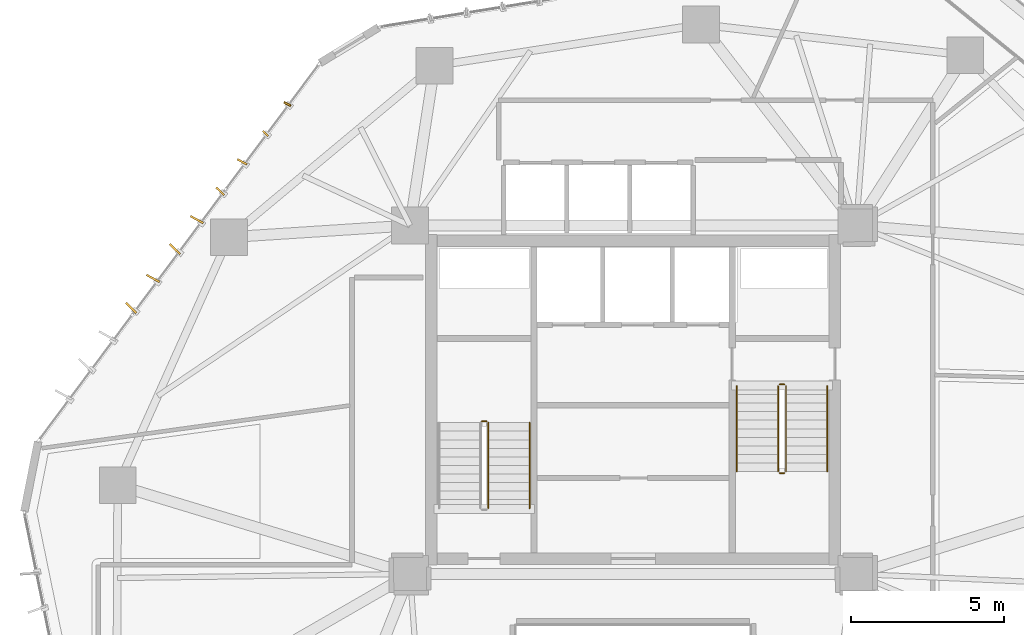
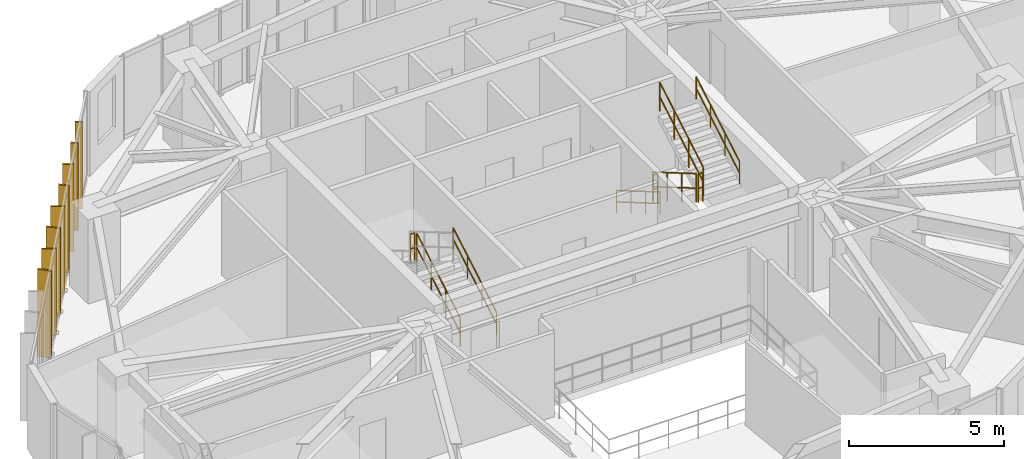
# One storey, part 22 of 23: 9 railings, 8 shading devices.
"""IFC4 building model written with IfcOpenShell, lengths in metres."""

from ifc_helpers import new_model, si_unit, direction, frame, origin, origin_2d, place, context, subcontext, project, spatial, rectangle, circle, extrude, source, transform, mapped, material, layer, layer_set, type_object, type_shapes, element, save


model = new_model("IFC4")

# Units and contexts
model_context = context("Model", 3, precision=1e-05, world=origin(), true_north=direction((0.0, 1.0)))
body_context = subcontext(model_context, "Body", "Model", "MODEL_VIEW")
ifc_project = project(units=[si_unit("LENGTHUNIT", "METRE"), si_unit("AREAUNIT", "SQUARE_METRE"), si_unit("VOLUMEUNIT", "CUBIC_METRE"), si_unit("PLANEANGLEUNIT", "RADIAN"), si_unit("MASSUNIT", "GRAM", prefix="KILO")], contexts=[model_context])

# Site, building, storey
site_placement = place(None, origin())
site = spatial("IfcSite", under=ifc_project, at=site_placement, CompositionType="ELEMENT")
building_placement = place(site_placement, origin())
building = spatial("IfcBuilding", under=site, at=building_placement, Name="Talar Marvaseh", CompositionType="ELEMENT")
storey_placement = place(building_placement, frame((0.0, 0.0, 118.199951171875)))
storey = spatial("IfcBuildingStorey", under=building, at=storey_placement, Name="L30", CompositionType="ELEMENT", Elevation=118.199951171875)

# Railings
ifc_material_1 = material(Name="Stainless Steel Grade 316", Category="steel")
railing_type_1 = type_object("IfcRailingType", Name="Brushed Stainless Wall Pitch Handrail 900", PredefinedType="HANDRAIL", material=ifc_material_1)
railing_1_placement = place(storey_placement, frame((22.610107421875, 27.64990234375, 0.16357421875)))
element("IfcRailing", 1, at=railing_1_placement, inside=storey, type_object=railing_type_1, Name="L30 ST-1 stair handrail 1", PredefinedType="HANDRAIL", context=body_context, shape_type="SweptSolid", body=[
    extrude(circle(Radius=0.02392578125, at=origin_2d()), frame((0.0, 0.0, 0.8759765625), z_axis=(0.0, 0.863360870873, 0.504586966384), x_axis=(-1.0, 0.0, 0.0)), (0.0, 0.0, 1.0), 3.2431640625),
    extrude(circle(Radius=0.02392578125, at=origin_2d()), frame((0.0, 0.0, 0.42578125), z_axis=(0.0, 0.863360870873, 0.504586966384), x_axis=(-1.0, 0.0, 0.0)), (0.0, 0.0, 1.0), 3.2431640625),
    extrude(circle(Radius=0.02099609375, at=origin_2d()), origin(), (0.0, 0.0, 1.0), 0.851806640625),
    extrude(circle(Radius=0.02099609375, at=origin_2d()), frame((0.0, 0.933349609375, 0.54541015625)), (0.0, 0.0, 1.0), 0.851806640625),
    extrude(circle(Radius=0.02099609375, at=origin_2d()), frame((0.0, 1.86669921875, 1.091064453125)), (0.0, 0.0, 1.0), 0.851806640625),
    extrude(circle(Radius=0.02099609375, at=origin_2d()), frame((0.0, 2.800048828125, 1.636474609375)), (0.0, 0.0, 1.0), 0.851806640625),
])
railing_2_placement = place(storey_placement, frame((29.389892578125, 31.64990234375, 0.16357421875)))
element("IfcRailing", 2, at=railing_2_placement, inside=storey, type_object=railing_type_1, Name="L30 ST-2 stair handrail 1", PredefinedType="HANDRAIL", context=body_context, shape_type="SweptSolid", body=[
    extrude(circle(Radius=0.02392578125, at=origin_2d()), frame((0.0, 0.0, 0.8759765625), z_axis=(0.0, -0.863341702679, 0.504619762213), x_axis=(1.0, 0.0, 0.0)), (0.0, 0.0, 1.0), 3.242919921875),
    extrude(circle(Radius=0.02392578125, at=origin_2d()), frame((0.0, 0.0, 0.42578125), z_axis=(0.0, -0.863341702679, 0.504619762213), x_axis=(1.0, 0.0, 0.0)), (0.0, 0.0, 1.0), 3.242919921875),
    extrude(circle(Radius=0.02099609375, at=origin_2d()), origin(), (0.0, 0.0, 1.0), 0.851806640625),
    extrude(circle(Radius=0.02099609375, at=origin_2d()), frame((0.0, -0.933349609375, 0.54541015625)), (0.0, 0.0, 1.0), 0.851806640625),
    extrude(circle(Radius=0.02099609375, at=origin_2d()), frame((0.0, -1.866455078125, 1.091064453125)), (0.0, 0.0, 1.0), 0.851806640625),
    extrude(circle(Radius=0.02099609375, at=origin_2d()), frame((0.0, -2.7998046875, 1.636474609375)), (0.0, 0.0, 1.0), 0.851806640625),
])
railing_3_placement = place(storey_placement, frame((32.35009765625, 28.85009765625, 1.963623046875)))
element("IfcRailing", 3, at=railing_3_placement, inside=storey, type_object=railing_type_1, Name="L30 ST-2 stair handrail 2", PredefinedType="HANDRAIL", context=body_context, shape_type="SweptSolid", body=[
    extrude(circle(Radius=0.02392578125, at=origin_2d()), frame((0.0, 0.0, 0.8759765625), z_axis=(0.0, 0.863341702679, 0.504619762213), x_axis=(-1.0, 0.0, 0.0)), (0.0, 0.0, 1.0), 3.242919921875),
    extrude(circle(Radius=0.02392578125, at=origin_2d()), frame((0.0, 0.0, 0.42578125), z_axis=(0.0, 0.863341702679, 0.504619762213), x_axis=(-1.0, 0.0, 0.0)), (0.0, 0.0, 1.0), 3.242919921875),
    extrude(circle(Radius=0.02099609375, at=origin_2d()), origin(), (0.0, 0.0, 1.0), 0.851806640625),
    extrude(circle(Radius=0.02099609375, at=origin_2d()), frame((0.0, 0.933349609375, 0.54541015625)), (0.0, 0.0, 1.0), 0.851806640625),
    extrude(circle(Radius=0.02099609375, at=origin_2d()), frame((0.0, 1.866455078125, 1.091064453125)), (0.0, 0.0, 1.0), 0.851806640625),
    extrude(circle(Radius=0.02099609375, at=origin_2d()), frame((0.0, 2.7998046875, 1.636474609375)), (0.0, 0.0, 1.0), 0.851806640625),
])
railing_type_2 = type_object("IfcRailingType", Name="Painted Steel Core Stair Well Guardrail 1150", PredefinedType="GUARDRAIL", material=ifc_material_1)
railing_4_placement = place(storey_placement, frame((21.260009765625, 27.64990234375, 0.16357421875)))
element("IfcRailing", 4, at=railing_4_placement, inside=storey, type_object=railing_type_2, Name="L30 ST-1 stair guard 1", PredefinedType="GUARDRAIL", context=body_context, shape_type="SweptSolid", body=[
    extrude(circle(Radius=0.02392578125, at=origin_2d()), frame((0.0, 0.0, 1.1259765625), z_axis=(0.0, 0.863360870873, 0.504586966384), x_axis=(-1.0, 0.0, 0.0)), (0.0, 0.0, 1.0), 3.2431640625),
    extrude(circle(Radius=0.02392578125, at=origin_2d()), frame((0.0, 0.0, 0.55078125), z_axis=(0.0, 0.863360870873, 0.504586966384), x_axis=(-1.0, 0.0, 0.0)), (0.0, 0.0, 1.0), 3.2431640625),
    extrude(circle(Radius=0.02099609375, at=origin_2d()), origin(), (0.0, 0.0, 1.0), 1.101806640625),
    extrude(circle(Radius=0.02099609375, at=origin_2d()), frame((0.0, 0.933349609375, 0.54541015625)), (0.0, 0.0, 1.0), 1.101806640625),
    extrude(circle(Radius=0.02099609375, at=origin_2d()), frame((0.0, 1.86669921875, 1.091064453125)), (0.0, 0.0, 1.0), 1.101806640625),
    extrude(circle(Radius=0.02099609375, at=origin_2d()), frame((0.0, 2.800048828125, 1.636474609375)), (0.0, 0.0, 1.0), 1.101806640625),
])
railing_5_placement = place(storey_placement, frame((21.2099609375, 30.5, 1.800048828125)))
element("IfcRailing", 5, at=railing_5_placement, inside=storey, type_object=railing_type_2, Name="L30 ST-1 stair guard 2", PredefinedType="GUARDRAIL", context=body_context, shape_type="SweptSolid", body=[
    extrude(circle(Radius=0.02392578125, at=origin_2d()), frame((0.0, 0.0, 1.1259765625), z_axis=(-1.0, 0.0, 0.0), x_axis=(0.0, -1.0, 0.0)), (0.0, 0.0, 1.0), 0.159912109375),
    extrude(circle(Radius=0.02392578125, at=origin_2d()), frame((0.0, 0.0, 0.55078125), z_axis=(-1.0, 0.0, 0.0), x_axis=(0.0, -1.0, 0.0)), (0.0, 0.0, 1.0), 0.159912109375),
    extrude(circle(Radius=0.02099609375, at=origin_2d()), origin(), (0.0, 0.0, 1.0), 1.101806640625),
    extrude(circle(Radius=0.02099609375, at=origin_2d()), frame((-0.159912109375, 0.0, 0.0)), (0.0, 0.0, 1.0), 1.101806640625),
])
railing_6_placement = place(storey_placement, frame((30.739990234375, 31.64990234375, 0.16357421875)))
element("IfcRailing", 6, at=railing_6_placement, inside=storey, type_object=railing_type_2, Name="L30 ST-2 stair guard 1", PredefinedType="GUARDRAIL", context=body_context, shape_type="SweptSolid", body=[
    extrude(circle(Radius=0.02392578125, at=origin_2d()), frame((0.0, 0.0, 1.1259765625), z_axis=(0.0, -0.863341702679, 0.504619762213), x_axis=(1.0, 0.0, 0.0)), (0.0, 0.0, 1.0), 3.242919921875),
    extrude(circle(Radius=0.02392578125, at=origin_2d()), frame((0.0, 0.0, 0.55078125), z_axis=(0.0, -0.863341702679, 0.504619762213), x_axis=(1.0, 0.0, 0.0)), (0.0, 0.0, 1.0), 3.242919921875),
    extrude(circle(Radius=0.02099609375, at=origin_2d()), origin(), (0.0, 0.0, 1.0), 1.101806640625),
    extrude(circle(Radius=0.02099609375, at=origin_2d()), frame((0.0, -0.933349609375, 0.54541015625)), (0.0, 0.0, 1.0), 1.101806640625),
    extrude(circle(Radius=0.02099609375, at=origin_2d()), frame((0.0, -1.866455078125, 1.091064453125)), (0.0, 0.0, 1.0), 1.101806640625),
    extrude(circle(Radius=0.02099609375, at=origin_2d()), frame((0.0, -2.7998046875, 1.636474609375)), (0.0, 0.0, 1.0), 1.101806640625),
])
railing_7_placement = place(storey_placement, frame((30.7900390625, 28.800048828125, 1.800048828125)))
element("IfcRailing", 7, at=railing_7_placement, inside=storey, type_object=railing_type_2, Name="L30 ST-2 stair guard 2", PredefinedType="GUARDRAIL", context=body_context, shape_type="SweptSolid", body=[
    extrude(circle(Radius=0.02392578125, at=origin_2d()), frame((0.0, 0.0, 1.1259765625), z_axis=(1.0, 0.0, 0.0), x_axis=(0.0, 1.0, 0.0)), (0.0, 0.0, 1.0), 0.159912109375),
    extrude(circle(Radius=0.02392578125, at=origin_2d()), frame((0.0, 0.0, 0.55078125), z_axis=(1.0, 0.0, 0.0), x_axis=(0.0, 1.0, 0.0)), (0.0, 0.0, 1.0), 0.159912109375),
    extrude(circle(Radius=0.02099609375, at=origin_2d()), origin(), (0.0, 0.0, 1.0), 1.101806640625),
    extrude(circle(Radius=0.02099609375, at=origin_2d()), frame((0.159912109375, 0.0, 0.0)), (0.0, 0.0, 1.0), 1.101806640625),
])
railing_8_placement = place(storey_placement, frame((31.0, 28.85009765625, 1.963623046875)))
element("IfcRailing", 8, at=railing_8_placement, inside=storey, type_object=railing_type_2, Name="L30 ST-2 stair guard 3", PredefinedType="GUARDRAIL", context=body_context, shape_type="SweptSolid", body=[
    extrude(circle(Radius=0.02392578125, at=origin_2d()), frame((0.0, 0.0, 1.1259765625), z_axis=(0.0, 0.863341702679, 0.504619762213), x_axis=(-1.0, 0.0, 0.0)), (0.0, 0.0, 1.0), 3.242919921875),
    extrude(circle(Radius=0.02392578125, at=origin_2d()), frame((0.0, 0.0, 0.55078125), z_axis=(0.0, 0.863341702679, 0.504619762213), x_axis=(-1.0, 0.0, 0.0)), (0.0, 0.0, 1.0), 3.242919921875),
    extrude(circle(Radius=0.02099609375, at=origin_2d()), origin(), (0.0, 0.0, 1.0), 1.101806640625),
    extrude(circle(Radius=0.02099609375, at=origin_2d()), frame((0.0, 0.933349609375, 0.54541015625)), (0.0, 0.0, 1.0), 1.101806640625),
    extrude(circle(Radius=0.02099609375, at=origin_2d()), frame((0.0, 1.866455078125, 1.091064453125)), (0.0, 0.0, 1.0), 1.101806640625),
    extrude(circle(Radius=0.02099609375, at=origin_2d()), frame((0.0, 2.7998046875, 1.636474609375)), (0.0, 0.0, 1.0), 1.101806640625),
])
railing_9_placement = place(storey_placement, frame((30.7900390625, 31.699951171875, 0.0)))
element("IfcRailing", 9, at=railing_9_placement, inside=storey, type_object=railing_type_2, Name="L30 ST-2 stair guard 4", PredefinedType="GUARDRAIL", context=body_context, shape_type="SweptSolid", body=[
    extrude(circle(Radius=0.02392578125, at=origin_2d()), frame((0.0, 0.0, 1.1259765625), z_axis=(1.0, 0.0, 0.0), x_axis=(0.0, 1.0, 0.0)), (0.0, 0.0, 1.0), 0.159912109375),
    extrude(circle(Radius=0.02392578125, at=origin_2d()), frame((0.0, 0.0, 0.55078125), z_axis=(1.0, 0.0, 0.0), x_axis=(0.0, 1.0, 0.0)), (0.0, 0.0, 1.0), 0.159912109375),
    extrude(circle(Radius=0.02099609375, at=origin_2d()), origin(), (0.0, 0.0, 1.0), 1.101806640625),
    extrude(circle(Radius=0.02099609375, at=origin_2d()), frame((0.159912109375, 0.0, 0.0)), (0.0, 0.0, 1.0), 1.101806640625),
])

# Shading devices
ifc_material_2 = material(Name="Anodised Champagne Bronze Aluminium", Category="aluminium")
ifc_layer_1 = layer(ifc_material_2, 0.06494140625)
ifc_layer_set_1 = layer_set([ifc_layer_1], Name="Anodised Champagne Bronze Aluminium")
shading_device_type_1 = type_object("IfcShadingDeviceType", Name="Sawtooth Champagne Bronze Vertical Fin 240", PredefinedType="USERDEFINED", material=ifc_layer_set_1)
shared_shape_1 = source(origin(), body_context, "Body", "SweptSolid", [
    extrude(rectangle(XDim=0.239990234375, YDim=0.06494140625, at=origin_2d()), origin(), (0.0, 0.0, 1.0), 3.429931640625),
])
type_shapes(shading_device_type_1, [shared_shape_1])
for number, where, z_axis, x_axis, name in (
    (10, (13.97314453125, 39.907958984375, -0.1201171875), (0.0, 0.0, 1.0), (-0.711044961634, 0.703146544139, 0.0), "L30 Sawtooth Vertical Solar Fin"),
    (11, (14.690185546875, 40.8701171875, -0.1201171875), (0.0, 0.0, 1.0), (-0.877313739887, 0.479917286421, 0.0), "L30 Sawtooth Vertical Solar Fin"),
):
    element("IfcShadingDevice", number, at=place(storey_placement, frame(where, z_axis=z_axis, x_axis=x_axis)), inside=storey, type_object=shading_device_type_1, Name=name, ObjectType="FIN", PredefinedType="USERDEFINED", context=body_context, shape_type="MappedRepresentation", body=[
        mapped(shared_shape_1, transform((0.0, 0.0, 0.0), x_axis=(1.0, 0.0, 0.0), y_axis=(0.0, 1.0, 0.0), z_axis=(0.0, 0.0, 1.0), scale=1.0)),
    ])
ifc_layer_2 = layer(ifc_material_2, 0.06494140625)
ifc_layer_set_2 = layer_set([ifc_layer_2], Name="Anodised Champagne Bronze Aluminium")
shading_device_type_2 = type_object("IfcShadingDeviceType", Name="Sawtooth Champagne Bronze Vertical Fin 360", PredefinedType="USERDEFINED", material=ifc_layer_set_2)
shared_shape_2 = source(origin(), body_context, "Body", "SweptSolid", [
    extrude(rectangle(XDim=0.360107421875, YDim=0.06494140625, at=origin_2d()), origin(), (0.0, 0.0, 1.0), 3.429931640625),
])
type_shapes(shading_device_type_2, [shared_shape_2])
for number, where, z_axis, x_axis, name in (
    (12, (12.491455078125, 38.01904296875, -0.1201171875), (0.0, 0.0, 1.0), (-0.711044961634, 0.703146544139, 0.0), "L30 Sawtooth Vertical Solar Fin"),
    (13, (13.208251953125, 38.9814453125, -0.1201171875), (0.0, 0.0, 1.0), (-0.877313739887, 0.479917286421, 0.0), "L30 Sawtooth Vertical Solar Fin"),
):
    element("IfcShadingDevice", number, at=place(storey_placement, frame(where, z_axis=z_axis, x_axis=x_axis)), inside=storey, type_object=shading_device_type_2, Name=name, ObjectType="FIN", PredefinedType="USERDEFINED", context=body_context, shape_type="MappedRepresentation", body=[
        mapped(shared_shape_2, transform((0.0, 0.0, 0.0), x_axis=(1.0, 0.0, 0.0), y_axis=(0.0, 1.0, 0.0), z_axis=(0.0, 0.0, 1.0), scale=1.0)),
    ])
ifc_layer_3 = layer(ifc_material_2, 0.06494140625)
ifc_layer_set_3 = layer_set([ifc_layer_3], Name="Anodised Champagne Bronze Aluminium")
shading_device_type_3 = type_object("IfcShadingDeviceType", Name="Sawtooth Champagne Bronze Vertical Fin 480", PredefinedType="USERDEFINED", material=ifc_layer_set_3)
shared_shape_3 = source(origin(), body_context, "Body", "SweptSolid", [
    extrude(rectangle(XDim=0.47998046875, YDim=0.06494140625, at=origin_2d()), origin(), (0.0, 0.0, 1.0), 3.429931640625),
])
type_shapes(shading_device_type_3, [shared_shape_3])
for number, where, z_axis, x_axis, name in (
    (14, (9.575927734375, 34.20556640625, -0.1201171875), (0.0, 0.0, 1.0), (-0.711044961634, 0.703146544139, 0.0), "L30 Sawtooth Vertical Solar Fin"),
    (15, (10.292724609375, 35.167724609375, -0.1201171875), (0.0, 0.0, 1.0), (-0.877313739887, 0.479917286421, 0.0), "L30 Sawtooth Vertical Solar Fin"),
    (16, (11.009521484375, 36.130126953125, -0.1201171875), (0.0, 0.0, 1.0), (-0.711044961634, 0.703146544139, 0.0), "L30 Sawtooth Vertical Solar Fin"),
    (17, (11.7265625, 37.092529296875, -0.1201171875), (0.0, 0.0, 1.0), (-0.877313739887, 0.479917286421, 0.0), "L30 Sawtooth Vertical Solar Fin"),
):
    element("IfcShadingDevice", number, at=place(storey_placement, frame(where, z_axis=z_axis, x_axis=x_axis)), inside=storey, type_object=shading_device_type_3, Name=name, ObjectType="FIN", PredefinedType="USERDEFINED", context=body_context, shape_type="MappedRepresentation", body=[
        mapped(shared_shape_3, transform((0.0, 0.0, 0.0), x_axis=(1.0, 0.0, 0.0), y_axis=(0.0, 1.0, 0.0), z_axis=(0.0, 0.0, 1.0), scale=1.0)),
    ])

save(model, "model.ifc")
